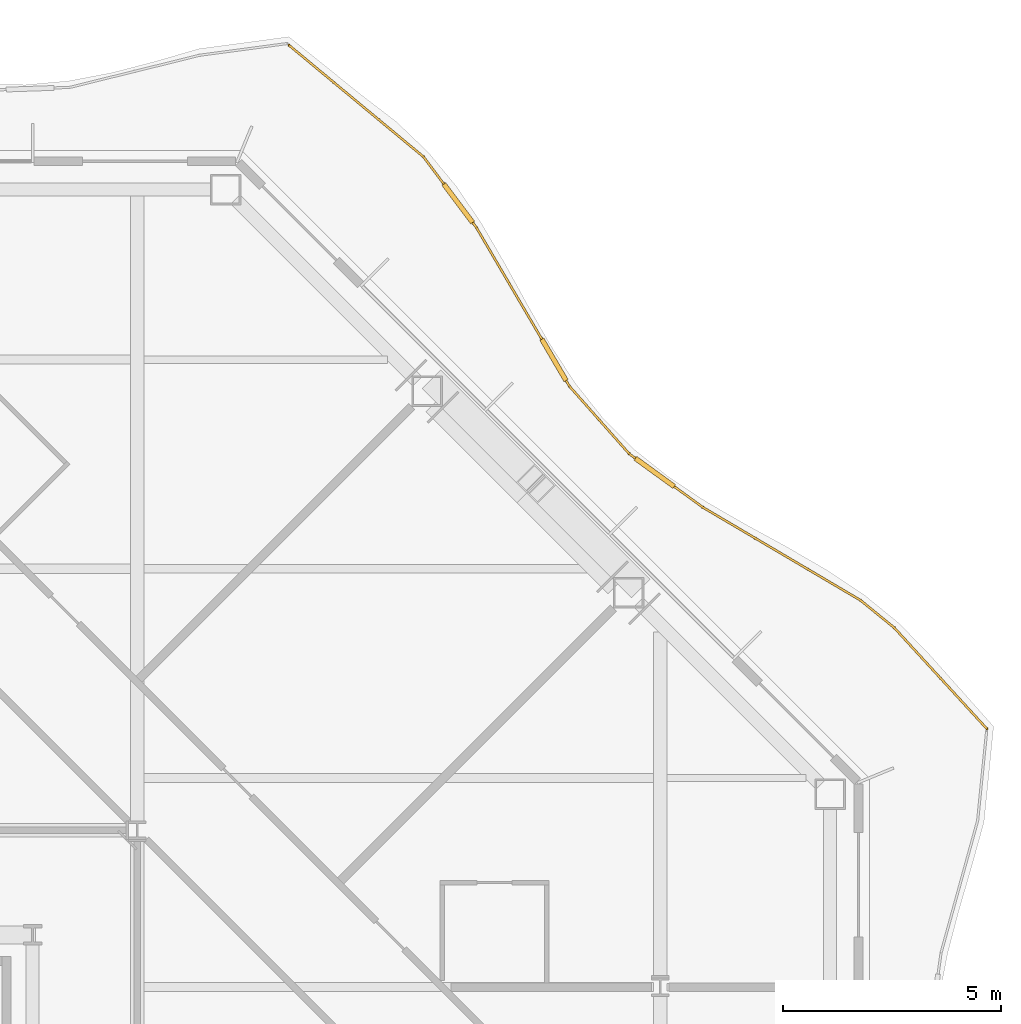
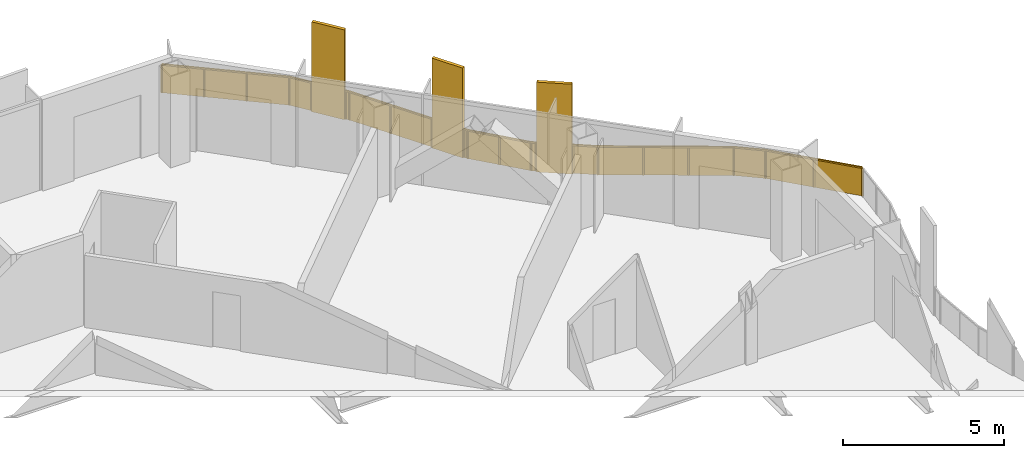
# One storey, part 21 of 21: 1 railing.
"""IFC4 building model written with IfcOpenShell, lengths in metres."""

from ifc_helpers import new_model, si_unit, direction, frame, origin, origin_2d, place, context, subcontext, project, spatial, polyline, rectangle, outline, extrude, material, type_object, element, save


model = new_model("IFC4")

# Units and contexts
model_context = context("Model", 3, precision=1e-05, world=origin(), true_north=direction((0.0, 1.0)))
body_context = subcontext(model_context, "Body", "Model", "MODEL_VIEW")
ifc_project = project(units=[si_unit("LENGTHUNIT", "METRE"), si_unit("AREAUNIT", "SQUARE_METRE"), si_unit("VOLUMEUNIT", "CUBIC_METRE"), si_unit("PLANEANGLEUNIT", "RADIAN"), si_unit("MASSUNIT", "GRAM", prefix="KILO")], contexts=[model_context])

# Site, building, storey
site_placement = place(None, origin())
site = spatial("IfcSite", under=ifc_project, at=site_placement, CompositionType="ELEMENT")
building_placement = place(site_placement, origin())
building = spatial("IfcBuilding", under=site, at=building_placement, Name="Cairn Pilgrim Tower", CompositionType="ELEMENT")
storey_placement = place(building_placement, frame((0.0, 0.0, 129.0)))
storey = spatial("IfcBuildingStorey", under=building, at=storey_placement, Name="L31", CompositionType="ELEMENT", Elevation=129.0)

# Railing
ifc_material = material(Name="Bronze anodised aluminium rail, posts and fin screens with laminated glass infill", Category="aluminium")
railing_type = type_object("IfcRailingType", Name="BALCONY GUARD WITH FIN SCREENS", PredefinedType="GUARDRAIL", material=ifc_material)
railing_placement = place(storey_placement, frame((38.694580078125, 15.52880859375, 0.0)))
element("IfcRailing", 1, at=railing_placement, inside=storey, type_object=railing_type, Name="Balcony guard BGF-4 with fin screens", PredefinedType="GUARDRAIL", context=body_context, shape_type="SweptSolid", body=[
    extrude(rectangle(XDim=0.050048828125, YDim=0.050048828125, at=origin_2d()), frame((0.0, 0.0, 1.0751953125), z_axis=(-0.675629630631, 0.737241210333, 0.0), x_axis=(-0.737241210333, -0.675629630631, 0.0)), (0.0, 0.0, 1.0), 3.142333984375),
    extrude(rectangle(XDim=0.050048828125, YDim=0.050048828125, at=origin_2d()), frame((-2.123046875, 2.316650390625, 1.0751953125), z_axis=(-0.775487030339, 0.631363497342, 0.0), x_axis=(-0.631363497342, -0.775487030339, 0.0)), (0.0, 0.0, 1.0), 1.001220703125),
    extrude(rectangle(XDim=0.050048828125, YDim=0.050048828125, at=origin_2d()), frame((-2.8994140625, 2.94873046875, 1.0751953125), z_axis=(-0.86139458177, 0.507936388239, 0.0), x_axis=(-0.507936388239, -0.86139458177, 0.0)), (0.0, 0.0, 1.0), 4.202392578125),
    extrude(rectangle(XDim=1.10009765625, YDim=0.110107421875, at=origin_2d()), frame((-7.618896484375, 5.88232421875, 0.0), z_axis=(0.0, 0.0, 1.0), x_axis=(-0.80892840952, 0.587907159568, 0.0)), (0.0, 0.0, 1.0), 3.39990234375),
    extrude(rectangle(XDim=0.050048828125, YDim=0.050048828125, at=origin_2d()), frame((-6.519287109375, 5.083251953125, 1.0751953125), z_axis=(-0.80892840952, 0.587907159568, 0.0), x_axis=(-0.587907159568, -0.80892840952, 0.0)), (0.0, 0.0, 1.0), 0.809326171875),
    extrude(rectangle(XDim=0.050048828125, YDim=0.050048828125, at=origin_2d()), frame((-8.063720703125, 6.205810546875, 1.0751953125), z_axis=(-0.80892840952, 0.587907159568, 0.0), x_axis=(-0.587907159568, -0.80892840952, 0.0)), (0.0, 0.0, 1.0), 0.17626953125),
    extrude(rectangle(XDim=0.050048828125, YDim=0.050048828125, at=origin_2d()), frame((-8.206298828125, 6.309326171875, 1.0751953125), z_axis=(-0.662708672742, 0.748877303083, 0.0), x_axis=(-0.748877303083, -0.662708672742, 0.0)), (0.0, 0.0, 1.0), 2.071044921875),
    extrude(rectangle(XDim=1.10009765625, YDim=0.110107421875, at=origin_2d()), frame((-9.932861328125, 8.46435546875, 0.0), z_axis=(0.0, 0.0, 1.0), x_axis=(-0.505688288357, 0.862716265651, 0.0)), (0.0, 0.0, 1.0), 3.39990234375),
    extrude(rectangle(XDim=0.050048828125, YDim=0.050048828125, at=origin_2d()), frame((-9.578857421875, 7.8603515625, 1.0751953125), z_axis=(-0.505688288357, 0.862716265651, 0.0), x_axis=(-0.862716265651, -0.505688288357, 0.0)), (0.0, 0.0, 1.0), 0.150146484375),
    extrude(rectangle(XDim=0.050048828125, YDim=0.050048828125, at=origin_2d()), frame((-10.2109375, 8.938720703125, 1.0751953125), z_axis=(-0.505688288357, 0.862716265651, 0.0), x_axis=(-0.862716265651, -0.505688288357, 0.0)), (0.0, 0.0, 1.0), 2.965576171875),
    extrude(rectangle(XDim=1.10009765625, YDim=0.110107421875, at=origin_2d()), frame((-12.129638671875, 12.057861328125, 0.0), z_axis=(0.0, 0.0, 1.0), x_axis=(-0.598826222825, 0.800878988897, 0.0)), (0.0, 0.0, 1.0), 3.39990234375),
    extrude(rectangle(XDim=0.050048828125, YDim=0.050048828125, at=origin_2d()), frame((-11.710693359375, 11.497314453125, 1.0751953125), z_axis=(-0.598826222825, 0.800878988897, 0.0), x_axis=(-0.800878988897, -0.598826222825, 0.0)), (0.0, 0.0, 1.0), 0.149658203125),
    extrude(rectangle(XDim=0.050048828125, YDim=0.050048828125, at=origin_2d()), frame((-12.458984375, 12.498291015625, 1.0751953125), z_axis=(-0.598826222825, 0.800878988897, 0.0), x_axis=(-0.800878988897, -0.598826222825, 0.0)), (0.0, 0.0, 1.0), 0.781494140625),
    extrude(rectangle(XDim=0.050048828125, YDim=0.050048828125, at=origin_2d()), frame((-12.927001953125, 13.1240234375, 1.0751953125), z_axis=(-0.769606891949, 0.638517996508, 0.0), x_axis=(-0.638517996508, -0.769606891949, 0.0)), (0.0, 0.0, 1.0), 4.009765625),
    extrude(rectangle(XDim=0.050048828125, YDim=0.050048828125, at=origin_2d()), origin(), (0.0, 0.0, 1.0), 1.050048828125),
    extrude(rectangle(XDim=0.050048828125, YDim=0.050048828125, at=origin_2d()), frame((-1.0615234375, 1.158203125, 0.0)), (0.0, 0.0, 1.0), 1.050048828125),
    extrude(rectangle(XDim=0.050048828125, YDim=0.050048828125, at=origin_2d()), frame((-2.123046875, 2.316650390625, 0.0)), (0.0, 0.0, 1.0), 1.050048828125),
    extrude(rectangle(XDim=0.050048828125, YDim=0.050048828125, at=origin_2d()), frame((-2.8994140625, 2.94873046875, 0.0)), (0.0, 0.0, 1.0), 1.050048828125),
    extrude(rectangle(XDim=0.050048828125, YDim=0.050048828125, at=origin_2d()), frame((-4.10595703125, 3.66015625, 0.0)), (0.0, 0.0, 1.0), 1.050048828125),
    extrude(rectangle(XDim=0.050048828125, YDim=0.050048828125, at=origin_2d()), frame((-5.312744140625, 4.371826171875, 0.0)), (0.0, 0.0, 1.0), 1.050048828125),
    extrude(rectangle(XDim=0.050048828125, YDim=0.050048828125, at=origin_2d()), frame((-6.519287109375, 5.083251953125, 0.0)), (0.0, 0.0, 1.0), 1.050048828125),
    extrude(rectangle(XDim=0.050048828125, YDim=0.050048828125, at=origin_2d()), frame((-7.15380859375, 5.54443359375, 0.0)), (0.0, 0.0, 1.0), 1.050048828125),
    extrude(rectangle(XDim=0.050048828125, YDim=0.050048828125, at=origin_2d()), frame((-8.083984375, 6.220458984375, 0.0)), (0.0, 0.0, 1.0), 1.050048828125),
    extrude(rectangle(XDim=0.050048828125, YDim=0.050048828125, at=origin_2d()), frame((-8.206298828125, 6.309326171875, 0.0)), (0.0, 0.0, 1.0), 1.050048828125),
    extrude(rectangle(XDim=0.050048828125, YDim=0.050048828125, at=origin_2d()), frame((-8.892578125, 7.0849609375, 0.0)), (0.0, 0.0, 1.0), 1.050048828125),
    extrude(rectangle(XDim=0.050048828125, YDim=0.050048828125, at=origin_2d()), frame((-9.578857421875, 7.8603515625, 0.0)), (0.0, 0.0, 1.0), 1.050048828125),
    extrude(rectangle(XDim=0.050048828125, YDim=0.050048828125, at=origin_2d()), frame((-9.64208984375, 7.96826171875, 0.0)), (0.0, 0.0, 1.0), 1.050048828125),
    extrude(rectangle(XDim=0.050048828125, YDim=0.050048828125, at=origin_2d()), frame((-10.2236328125, 8.96044921875, 0.0)), (0.0, 0.0, 1.0), 1.050048828125),
    extrude(rectangle(XDim=0.050048828125, YDim=0.050048828125, at=origin_2d()), frame((-10.96728515625, 10.228759765625, 0.0)), (0.0, 0.0, 1.0), 1.050048828125),
    extrude(rectangle(XDim=0.050048828125, YDim=0.050048828125, at=origin_2d()), frame((-11.710693359375, 11.497314453125, 0.0)), (0.0, 0.0, 1.0), 1.050048828125),
    extrude(rectangle(XDim=0.050048828125, YDim=0.050048828125, at=origin_2d()), frame((-11.785400390625, 11.59716796875, 0.0)), (0.0, 0.0, 1.0), 1.050048828125),
    extrude(rectangle(XDim=0.050048828125, YDim=0.050048828125, at=origin_2d()), frame((-12.47412109375, 12.518310546875, 0.0)), (0.0, 0.0, 1.0), 1.050048828125),
    extrude(rectangle(XDim=0.050048828125, YDim=0.050048828125, at=origin_2d()), frame((-12.927001953125, 13.1240234375, 0.0)), (0.0, 0.0, 1.0), 1.050048828125),
    extrude(rectangle(XDim=0.050048828125, YDim=0.050048828125, at=origin_2d()), frame((-13.95556640625, 13.9775390625, 0.0)), (0.0, 0.0, 1.0), 1.050048828125),
    extrude(rectangle(XDim=0.050048828125, YDim=0.050048828125, at=origin_2d()), frame((-14.984375, 14.830810546875, 0.0)), (0.0, 0.0, 1.0), 1.050048828125),
    extrude(rectangle(XDim=0.050048828125, YDim=0.050048828125, at=origin_2d()), frame((-16.012939453125, 15.684326171875, 0.0)), (0.0, 0.0, 1.0), 1.050048828125),
    extrude(outline(polyline([(0.02490234375, 0.0), (1.546142578125, 0.0), (1.546142578125, 1.050048828125), (0.02490234375, 1.050048828125), (0.02490234375, 0.0)])), frame((-0.00439453125, -0.004150390625, 0.0), z_axis=(0.737241210333, 0.675629630631, 0.0), x_axis=(-0.675629630631, 0.737241210333, 0.0)), (0.0, 0.0, 1.0), 0.011962890625),
    extrude(outline(polyline([(0.02490234375, 0.0), (1.546142578125, 0.0), (1.546142578125, 1.050048828125), (0.02490234375, 1.050048828125), (0.02490234375, 0.0)])), frame((-1.06591796875, 1.154296875, 0.0), z_axis=(0.737241210333, 0.675629630631, 0.0), x_axis=(-0.675629630631, 0.737241210333, 0.0)), (0.0, 0.0, 1.0), 0.011962890625),
    extrude(outline(polyline([(0.02490234375, 0.0), (0.97607421875, 0.0), (0.97607421875, 1.050048828125), (0.02490234375, 1.050048828125), (0.02490234375, 0.0)])), frame((-2.126708984375, 2.31201171875, 0.0), z_axis=(0.631363497342, 0.775487030339, 0.0), x_axis=(-0.775487030339, 0.631363497342, 0.0)), (0.0, 0.0, 1.0), 0.011962890625),
    extrude(outline(polyline([(0.02490234375, 0.0), (1.375732421875, 0.0), (1.375732421875, 1.050048828125), (0.02490234375, 1.050048828125), (0.02490234375, 0.0)])), frame((-2.90234375, 2.943603515625, 0.0), z_axis=(0.507936388239, 0.86139458177, 0.0), x_axis=(-0.86139458177, 0.507936388239, 0.0)), (0.0, 0.0, 1.0), 0.011962890625),
    extrude(outline(polyline([(0.02490234375, 0.0), (1.375732421875, 0.0), (1.375732421875, 1.050048828125), (0.02490234375, 1.050048828125), (0.02490234375, 0.0)])), frame((-4.109130859375, 3.655029296875, 0.0), z_axis=(0.507936388239, 0.86139458177, 0.0), x_axis=(-0.86139458177, 0.507936388239, 0.0)), (0.0, 0.0, 1.0), 0.011962890625),
    extrude(outline(polyline([(0.02490234375, 0.0), (1.375732421875, 0.0), (1.375732421875, 1.050048828125), (0.02490234375, 1.050048828125), (0.02490234375, 0.0)])), frame((-5.315673828125, 4.36669921875, 0.0), z_axis=(0.507936388239, 0.86139458177, 0.0), x_axis=(-0.86139458177, 0.507936388239, 0.0)), (0.0, 0.0, 1.0), 0.011962890625),
    extrude(outline(polyline([(0.02490234375, 0.0), (0.75927734375, 0.0), (0.75927734375, 1.050048828125), (0.02490234375, 1.050048828125), (0.02490234375, 0.0)])), frame((-6.522705078125, 5.078369140625, 0.0), z_axis=(0.587907159568, 0.80892840952, 0.0), x_axis=(-0.80892840952, 0.587907159568, 0.0)), (0.0, 0.0, 1.0), 0.011962890625),
    extrude(outline(polyline([(0.02490234375, 0.0), (0.126220703125, 0.0), (0.126220703125, 1.050048828125), (0.02490234375, 1.050048828125), (0.02490234375, 0.0)])), frame((-8.087646484375, 6.215576171875, 0.0), z_axis=(0.587907159568, 0.80892840952, 0.0), x_axis=(-0.80892840952, 0.587907159568, 0.0)), (0.0, 0.0, 1.0), 0.011962890625),
    extrude(outline(polyline([(0.02490234375, 0.0), (1.010498046875, 0.0), (1.010498046875, 1.050048828125), (0.02490234375, 1.050048828125), (0.02490234375, 0.0)])), frame((-8.210693359375, 6.305419921875, 0.0), z_axis=(0.748877303083, 0.662708672742, 0.0), x_axis=(-0.662708672742, 0.748877303083, 0.0)), (0.0, 0.0, 1.0), 0.011962890625),
    extrude(outline(polyline([(0.02490234375, 0.0), (1.010498046875, 0.0), (1.010498046875, 1.050048828125), (0.02490234375, 1.050048828125), (0.02490234375, 0.0)])), frame((-8.89697265625, 7.080810546875, 0.0), z_axis=(0.748877303083, 0.662708672742, 0.0), x_axis=(-0.662708672742, 0.748877303083, 0.0)), (0.0, 0.0, 1.0), 0.011962890625),
    extrude(outline(polyline([(0.02490234375, 0.0), (0.10009765625, 0.0), (0.10009765625, 1.050048828125), (0.02490234375, 1.050048828125), (0.02490234375, 0.0)])), frame((-9.583984375, 7.857421875, 0.0), z_axis=(0.862716265651, 0.505688288357, 0.0), x_axis=(-0.505688288357, 0.862716265651, 0.0)), (0.0, 0.0, 1.0), 0.011962890625),
    extrude(outline(polyline([(0.02490234375, 0.0), (1.4453125, 0.0), (1.4453125, 1.050048828125), (0.02490234375, 1.050048828125), (0.02490234375, 0.0)])), frame((-10.228759765625, 8.957275390625, 0.0), z_axis=(0.862716265651, 0.505688288357, 0.0), x_axis=(-0.505688288357, 0.862716265651, 0.0)), (0.0, 0.0, 1.0), 0.011962890625),
    extrude(outline(polyline([(0.02490234375, 0.0), (1.4453125, 0.0), (1.4453125, 1.050048828125), (0.02490234375, 1.050048828125), (0.02490234375, 0.0)])), frame((-10.972412109375, 10.225830078125, 0.0), z_axis=(0.862716265651, 0.505688288357, 0.0), x_axis=(-0.505688288357, 0.862716265651, 0.0)), (0.0, 0.0, 1.0), 0.011962890625),
    extrude(outline(polyline([(0.02490234375, 0.0), (0.099609375, 0.0), (0.099609375, 1.050048828125), (0.02490234375, 1.050048828125), (0.02490234375, 0.0)])), frame((-11.715576171875, 11.49365234375, 0.0), z_axis=(0.800878988897, 0.598826222825, 0.0), x_axis=(-0.598826222825, 0.800878988897, 0.0)), (0.0, 0.0, 1.0), 0.011962890625),
    extrude(outline(polyline([(0.02490234375, 0.0), (0.7314453125, 0.0), (0.7314453125, 1.050048828125), (0.02490234375, 1.050048828125), (0.02490234375, 0.0)])), frame((-12.478759765625, 12.5146484375, 0.0), z_axis=(0.800878988897, 0.598826222825, 0.0), x_axis=(-0.598826222825, 0.800878988897, 0.0)), (0.0, 0.0, 1.0), 0.011962890625),
    extrude(outline(polyline([(0.02490234375, 0.0), (1.3115234375, 0.0), (1.3115234375, 1.050048828125), (0.02490234375, 1.050048828125), (0.02490234375, 0.0)])), frame((-12.930908203125, 13.119384765625, 0.0), z_axis=(0.638517996508, 0.769606891949, 0.0), x_axis=(-0.769606891949, 0.638517996508, 0.0)), (0.0, 0.0, 1.0), 0.011962890625),
    extrude(outline(polyline([(0.02490234375, 0.0), (1.3115234375, 0.0), (1.3115234375, 1.050048828125), (0.02490234375, 1.050048828125), (0.02490234375, 0.0)])), frame((-13.95947265625, 13.972900390625, 0.0), z_axis=(0.638517996508, 0.769606891949, 0.0), x_axis=(-0.769606891949, 0.638517996508, 0.0)), (0.0, 0.0, 1.0), 0.011962890625),
    extrude(outline(polyline([(0.02490234375, 0.0), (1.3115234375, 0.0), (1.3115234375, 1.050048828125), (0.02490234375, 1.050048828125), (0.02490234375, 0.0)])), frame((-14.988037109375, 14.826171875, 0.0), z_axis=(0.638517996508, 0.769606891949, 0.0), x_axis=(-0.769606891949, 0.638517996508, 0.0)), (0.0, 0.0, 1.0), 0.011962890625),
])

save(model, "model.ifc")
